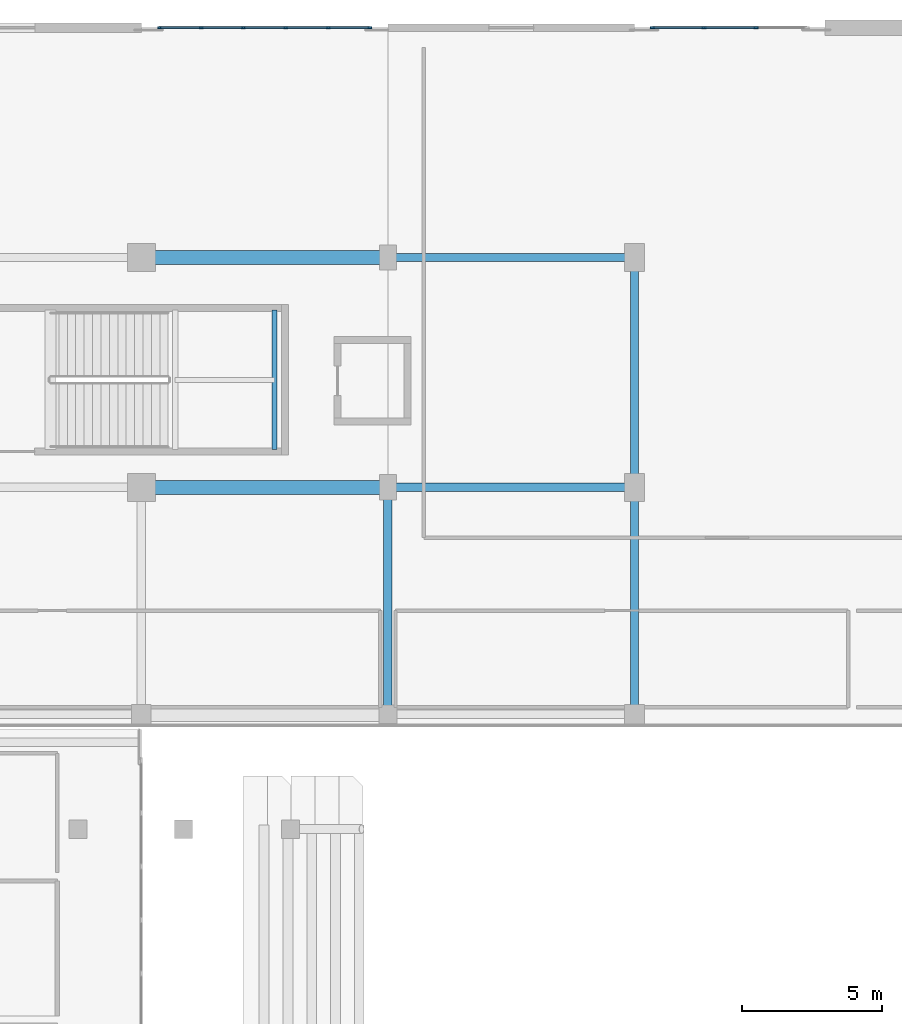
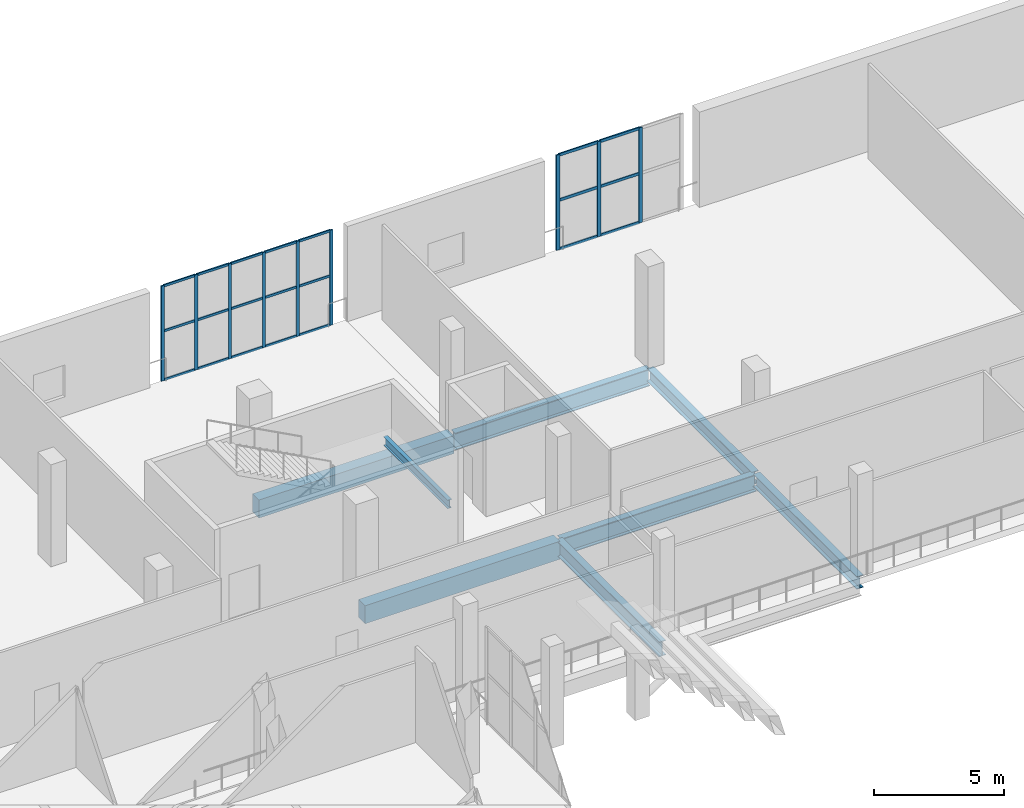
# One storey, part 64 of 142: 30 members, 8 beams, 2 elements without a shape of their own.
"""IFC4 building model written with IfcOpenShell, lengths in metres."""

from ifc_helpers import new_model, si_unit, direction, frame, origin, origin_2d, place, context, subcontext, project, spatial, rectangle, i_section, extrude, material, material_profile, profile_set, type_object, element, aggregate, save


model = new_model("IFC4")

# Units and contexts
model_context = context("Model", 3, precision=1e-05, world=origin(), true_north=direction((0.0, 1.0)))
body_context = subcontext(model_context, "Body", "Model", "MODEL_VIEW")
ifc_project = project(units=[si_unit("LENGTHUNIT", "METRE"), si_unit("AREAUNIT", "SQUARE_METRE"), si_unit("VOLUMEUNIT", "CUBIC_METRE"), si_unit("PLANEANGLEUNIT", "RADIAN"), si_unit("MASSUNIT", "GRAM", prefix="KILO")], contexts=[model_context])

# Site, building, storey
site_placement = place(None, origin())
site = spatial("IfcSite", under=ifc_project, at=site_placement, CompositionType="ELEMENT")
building_placement = place(site_placement, origin())
building = spatial("IfcBuilding", under=site, at=building_placement, Name="Koshinbarg Plaza Stadium", CompositionType="ELEMENT")
storey_placement = place(building_placement, frame((0.0, 0.0, 10.199951171875)))
storey = spatial("IfcBuildingStorey", under=building, at=storey_placement, Name="L02", CompositionType="ELEMENT", Elevation=10.199951171875)

# Beams
ifc_material_1 = material(Name="Concrete C40/50", Category="concrete")
ifc_material_profile_1 = material_profile(ifc_material_1, rectangle(XDim=0.5, YDim=0.85009765625, at=origin_2d()), Name="RC 500x850")
ifc_profile_set_1 = profile_set([ifc_material_profile_1], Name="Concrete C40/50")
beam_type_1 = type_object("IfcBeamType", Name="BM-RCG-05", PredefinedType="USERDEFINED", material=ifc_profile_set_1)
for number, where, z_axis, x_axis, name in (
    (1, (63.659912109375, 135.60009765625, -0.724853515625), (1.0, 0.0, 0.0), (0.0, 1.0, 0.0), "L02 X girder T/9-10"),
    (2, (63.659912109375, 143.800048828125, -0.724853515625), (1.0, 0.0, 0.0), (0.0, 1.0, 0.0), "L02 X girder U/9-10"),
):
    element("IfcBeam", number, at=place(storey_placement, frame(where, z_axis=z_axis, x_axis=x_axis)), inside=storey, type_object=beam_type_1, Name=name, ObjectType="GIRDER", PredefinedType="USERDEFINED", context=body_context, shape_type="SweptSolid", body=[
        extrude(rectangle(XDim=0.5, YDim=0.85009765625, at=origin_2d()), origin(), (0.0, 0.0, 1.0), 8.68017578125),
    ])
ifc_material_2 = material(Name="Steel S355", Category="steel")
ifc_material_profile_2 = material_profile(ifc_material_2, i_section(OverallWidth=0.179931640625, OverallDepth=0.39990234375, WebThickness=0.008544921875, FlangeThickness=0.013427734375, at=origin_2d()), Name="IPE 400")
ifc_profile_set_2 = profile_set([ifc_material_profile_2], Name="Steel S355")
beam_type_2 = type_object("IfcBeamType", Name="BM-SBM-01", PredefinedType="BEAM", material=ifc_profile_set_2)
beam_1_placement = place(storey_placement, frame((68.35009765625, 136.949951171875, 1.880126953125), z_axis=(0.0, 1.0, 0.0), x_axis=(-1.0, 0.0, 0.0)))
element("IfcBeam", 3, at=beam_1_placement, inside=storey, type_object=beam_type_2, Name="L02 Protected Exit Stair C11 landing trimmer beam 2", PredefinedType="BEAM", context=body_context, shape_type="SweptSolid", body=[
    extrude(i_section(OverallWidth=0.179931640625, OverallDepth=0.39990234375, WebThickness=0.008544921875, FlangeThickness=0.013427734375, at=origin_2d()), origin(), (0.0, 0.0, 1.0), 4.969970703125),
])
ifc_material_profile_3 = material_profile(ifc_material_2, i_section(OverallWidth=0.300048828125, OverallDepth=0.60009765625, WebThickness=0.015380859375, FlangeThickness=0.030029296875, at=origin_2d()), Name="HEB 600")
ifc_profile_set_3 = profile_set([ifc_material_profile_3], Name="Steel S355")
beam_type_3 = type_object("IfcBeamType", Name="BM-SGIR-02", PredefinedType="USERDEFINED", material=ifc_profile_set_3)
beam_2_placement = place(storey_placement, frame((81.199951171875, 127.56005859375, -0.599853515625), z_axis=(0.0, 1.0, 0.0), x_axis=(-1.0, 0.0, 0.0)))
element("IfcBeam", 4, at=beam_2_placement, inside=storey, type_object=beam_type_3, Name="L02 Y girder 11/S-T", ObjectType="GIRDER", PredefinedType="USERDEFINED", context=body_context, shape_type="SweptSolid", body=[
    extrude(i_section(OverallWidth=0.300048828125, OverallDepth=0.60009765625, WebThickness=0.015380859375, FlangeThickness=0.030029296875, at=origin_2d()), origin(), (0.0, 0.0, 1.0), 7.97998046875),
])
beam_3_placement = place(storey_placement, frame((81.199951171875, 135.659912109375, -0.599853515625), z_axis=(0.0, 1.0, 0.0), x_axis=(-1.0, 0.0, 0.0)))
element("IfcBeam", 5, at=beam_3_placement, inside=storey, type_object=beam_type_3, Name="L02 Y girder 11/T-U", ObjectType="GIRDER", PredefinedType="USERDEFINED", context=body_context, shape_type="SweptSolid", body=[
    extrude(i_section(OverallWidth=0.300048828125, OverallDepth=0.60009765625, WebThickness=0.015380859375, FlangeThickness=0.030029296875, at=origin_2d()), origin(), (0.0, 0.0, 1.0), 8.080078125),
])
ifc_material_profile_4 = material_profile(ifc_material_2, i_section(OverallWidth=0.300048828125, OverallDepth=0.699951171875, WebThickness=0.01708984375, FlangeThickness=0.031982421875, at=origin_2d()), Name="HEB 700")
ifc_profile_set_4 = profile_set([ifc_material_profile_4], Name="Steel S355")
beam_type_4 = type_object("IfcBeamType", Name="BM-SGIR-03", PredefinedType="USERDEFINED", material=ifc_profile_set_4)
beam_4_placement = place(storey_placement, frame((72.39990234375, 127.56005859375, -0.64990234375), z_axis=(0.0, 1.0, 0.0), x_axis=(-1.0, 0.0, 0.0)))
element("IfcBeam", 6, at=beam_4_placement, inside=storey, type_object=beam_type_4, Name="L02 Y girder 10/S-T", ObjectType="GIRDER", PredefinedType="USERDEFINED", context=body_context, shape_type="SweptSolid", body=[
    extrude(i_section(OverallWidth=0.300048828125, OverallDepth=0.699951171875, WebThickness=0.01708984375, FlangeThickness=0.031982421875, at=origin_2d()), origin(), (0.0, 0.0, 1.0), 7.97998046875),
])
ifc_material_profile_5 = material_profile(ifc_material_2, i_section(OverallWidth=0.300048828125, OverallDepth=0.800048828125, WebThickness=0.017578125, FlangeThickness=0.032958984375, at=origin_2d()), Name="HEB 800")
ifc_profile_set_5 = profile_set([ifc_material_profile_5], Name="Steel S355")
beam_type_5 = type_object("IfcBeamType", Name="BM-SGIR-04", PredefinedType="USERDEFINED", material=ifc_profile_set_5)
for number, where, z_axis, x_axis, name in (
    (7, (72.4599609375, 135.60009765625, -0.699951171875), (1.0, 0.0, 0.0), (0.0, 1.0, 0.0), "L02 X girder T/10-11"),
    (8, (72.4599609375, 143.800048828125, -0.699951171875), (1.0, 0.0, 0.0), (0.0, 1.0, 0.0), "L02 X girder U/10-11"),
):
    element("IfcBeam", number, at=place(storey_placement, frame(where, z_axis=z_axis, x_axis=x_axis)), inside=storey, type_object=beam_type_5, Name=name, ObjectType="GIRDER", PredefinedType="USERDEFINED", context=body_context, shape_type="SweptSolid", body=[
        extrude(i_section(OverallWidth=0.300048828125, OverallDepth=0.800048828125, WebThickness=0.017578125, FlangeThickness=0.032958984375, at=origin_2d()), origin(), (0.0, 0.0, 1.0), 8.679931640625),
    ])

# Curtain wall, members
ifc_material_3 = material(Name="Thermally broken anodised aluminium and low-E double glazing", Category="aluminium")
curtain_wall_type_1 = type_object("IfcCurtainWallType", Name="CW-SYS-01", PredefinedType="NOTDEFINED", material=ifc_material_3)
curtain_wall_1_placement = place(storey_placement, origin())
curtain_wall_1 = element("IfcCurtainWall", 9, at=curtain_wall_1_placement, inside=storey, type_object=curtain_wall_type_1, Name="L02 unitised curtain wall CW-L02-048", PredefinedType="NOTDEFINED")
ifc_material_4 = material(Name="Anodised aluminium mullion", Category="aluminium")
ifc_material_profile_6 = material_profile(ifc_material_4, rectangle(XDim=0.06005859375, YDim=0.139892578125, at=origin_2d()), Name="ALU 60x140")
ifc_profile_set_6 = profile_set([ifc_material_profile_6], Name="Anodised aluminium mullion")
member_type_1 = type_object("IfcMemberType", Name="CW-MUL-01", PredefinedType="MULLION", material=ifc_profile_set_6)
member_1_placement = place(storey_placement, frame((64.25, 152.0, 0.0), z_axis=(0.0, 0.0, 1.0), x_axis=(0.0, 1.0, 0.0)))
member_1 = element("IfcMember", 10, at=member_1_placement, type_object=member_type_1, Name="CW01 mullion 1", PredefinedType="MULLION", context=body_context, shape_type="SweptSolid", body=[
    extrude(rectangle(XDim=0.06005859375, YDim=0.139892578125, at=origin_2d()), origin(), (0.0, 0.0, 1.0), 4.47998046875),
])
member_2_placement = place(storey_placement, frame((65.73193359375, 152.0, 0.0), z_axis=(0.0, 0.0, 1.0), x_axis=(0.0, 1.0, 0.0)))
member_2 = element("IfcMember", 11, at=member_2_placement, type_object=member_type_1, Name="CW01 mullion 2", PredefinedType="MULLION", context=body_context, shape_type="SweptSolid", body=[
    extrude(rectangle(XDim=0.06005859375, YDim=0.139892578125, at=origin_2d()), origin(), (0.0, 0.0, 1.0), 4.47998046875),
])
member_3_placement = place(storey_placement, frame((67.243896484375, 152.0, 0.0), z_axis=(0.0, 0.0, 1.0), x_axis=(0.0, 1.0, 0.0)))
member_3 = element("IfcMember", 12, at=member_3_placement, type_object=member_type_1, Name="CW01 mullion 3", PredefinedType="MULLION", context=body_context, shape_type="SweptSolid", body=[
    extrude(rectangle(XDim=0.06005859375, YDim=0.139892578125, at=origin_2d()), origin(), (0.0, 0.0, 1.0), 4.47998046875),
])
member_4_placement = place(storey_placement, frame((68.756103515625, 152.0, 0.0), z_axis=(0.0, 0.0, 1.0), x_axis=(0.0, 1.0, 0.0)))
member_4 = element("IfcMember", 13, at=member_4_placement, type_object=member_type_1, Name="CW01 mullion 4", PredefinedType="MULLION", context=body_context, shape_type="SweptSolid", body=[
    extrude(rectangle(XDim=0.06005859375, YDim=0.139892578125, at=origin_2d()), origin(), (0.0, 0.0, 1.0), 4.47998046875),
])
member_5_placement = place(storey_placement, frame((70.26806640625, 152.0, 0.0), z_axis=(0.0, 0.0, 1.0), x_axis=(0.0, 1.0, 0.0)))
member_5 = element("IfcMember", 14, at=member_5_placement, type_object=member_type_1, Name="CW01 mullion 5", PredefinedType="MULLION", context=body_context, shape_type="SweptSolid", body=[
    extrude(rectangle(XDim=0.06005859375, YDim=0.139892578125, at=origin_2d()), origin(), (0.0, 0.0, 1.0), 4.47998046875),
])
member_6_placement = place(storey_placement, frame((71.75, 152.0, 0.0), z_axis=(0.0, 0.0, 1.0), x_axis=(0.0, 1.0, 0.0)))
member_6 = element("IfcMember", 15, at=member_6_placement, type_object=member_type_1, Name="CW01 mullion 6", PredefinedType="MULLION", context=body_context, shape_type="SweptSolid", body=[
    extrude(rectangle(XDim=0.06005859375, YDim=0.139892578125, at=origin_2d()), origin(), (0.0, 0.0, 1.0), 4.47998046875),
])

curtain_wall_type_2 = type_object("IfcCurtainWallType", Name="CW-SYS-02", PredefinedType="NOTDEFINED", material=ifc_material_3)
curtain_wall_2_placement = place(storey_placement, origin())
curtain_wall_2 = element("IfcCurtainWall", 16, at=curtain_wall_2_placement, inside=storey, type_object=curtain_wall_type_2, Name="L02 unitised curtain wall CW-L02-049", PredefinedType="NOTDEFINED")
ifc_material_profile_7 = material_profile(ifc_material_4, rectangle(XDim=0.06005859375, YDim=0.159912109375, at=origin_2d()), Name="ALU 60x160")
ifc_profile_set_7 = profile_set([ifc_material_profile_7], Name="Anodised aluminium mullion")
member_type_2 = type_object("IfcMemberType", Name="CW-MUL-02", PredefinedType="MULLION", material=ifc_profile_set_7)
member_7_placement = place(storey_placement, frame((81.85009765625, 152.0, 0.0), z_axis=(0.0, 0.0, 1.0), x_axis=(0.0, 1.0, 0.0)))
member_7 = element("IfcMember", 17, at=member_7_placement, type_object=member_type_2, Name="CW02 mullion 1", PredefinedType="MULLION", context=body_context, shape_type="SweptSolid", body=[
    extrude(rectangle(XDim=0.06005859375, YDim=0.159912109375, at=origin_2d()), origin(), (0.0, 0.0, 1.0), 4.47998046875),
])
member_8_placement = place(storey_placement, frame((83.67333984375, 152.0, 0.0), z_axis=(0.0, 0.0, 1.0), x_axis=(0.0, 1.0, 0.0)))
member_8 = element("IfcMember", 18, at=member_8_placement, type_object=member_type_2, Name="CW02 mullion 2", PredefinedType="MULLION", context=body_context, shape_type="SweptSolid", body=[
    extrude(rectangle(XDim=0.06005859375, YDim=0.159912109375, at=origin_2d()), origin(), (0.0, 0.0, 1.0), 4.47998046875),
])
member_9_placement = place(storey_placement, frame((85.526611328125, 152.0, 0.0), z_axis=(0.0, 0.0, 1.0), x_axis=(0.0, 1.0, 0.0)))
member_9 = element("IfcMember", 19, at=member_9_placement, type_object=member_type_2, Name="CW02 mullion 3", PredefinedType="MULLION", context=body_context, shape_type="SweptSolid", body=[
    extrude(rectangle(XDim=0.06005859375, YDim=0.159912109375, at=origin_2d()), origin(), (0.0, 0.0, 1.0), 4.47998046875),
])

# Member
ifc_material_5 = material(Name="Anodised aluminium transom", Category="aluminium")
ifc_material_profile_8 = material_profile(ifc_material_5, rectangle(XDim=0.06005859375, YDim=0.110107421875, at=origin_2d()), Name="ALU 60x110")
ifc_profile_set_8 = profile_set([ifc_material_profile_8], Name="Anodised aluminium transom")
member_type_3 = type_object("IfcMemberType", Name="CW-TRN-01", PredefinedType="USERDEFINED", material=ifc_profile_set_8)
member_10_placement = place(storey_placement, frame((64.280029296875, 152.0, 0.030029296875), z_axis=(1.0, 0.0, 0.0), x_axis=(0.0, 1.0, 0.0)))
member_10 = element("IfcMember", 20, at=member_10_placement, type_object=member_type_3, Name="CW01 transom 1.1", ObjectType="TRANSOM", PredefinedType="USERDEFINED", context=body_context, shape_type="SweptSolid", body=[
    extrude(rectangle(XDim=0.06005859375, YDim=0.110107421875, at=origin_2d()), origin(), (0.0, 0.0, 1.0), 1.421875),
])

member_11_placement = place(storey_placement, frame((64.280029296875, 152.0, 2.32958984375), z_axis=(1.0, 0.0, 0.0), x_axis=(0.0, 1.0, 0.0)))
member_11 = element("IfcMember", 21, at=member_11_placement, type_object=member_type_3, Name="CW01 transom 1.2", ObjectType="TRANSOM", PredefinedType="USERDEFINED", context=body_context, shape_type="SweptSolid", body=[
    extrude(rectangle(XDim=0.06005859375, YDim=0.110107421875, at=origin_2d()), origin(), (0.0, 0.0, 1.0), 1.421875),
])

member_12_placement = place(storey_placement, frame((64.280029296875, 152.0, 4.449951171875), z_axis=(1.0, 0.0, 0.0), x_axis=(0.0, 1.0, 0.0)))
member_12 = element("IfcMember", 22, at=member_12_placement, type_object=member_type_3, Name="CW01 transom 1.3", ObjectType="TRANSOM", PredefinedType="USERDEFINED", context=body_context, shape_type="SweptSolid", body=[
    extrude(rectangle(XDim=0.06005859375, YDim=0.110107421875, at=origin_2d()), origin(), (0.0, 0.0, 1.0), 1.421875),
])

member_13_placement = place(storey_placement, frame((65.761962890625, 152.0, 0.030029296875), z_axis=(1.0, 0.0, 0.0), x_axis=(0.0, 1.0, 0.0)))
member_13 = element("IfcMember", 23, at=member_13_placement, type_object=member_type_3, Name="CW01 transom 2.1", ObjectType="TRANSOM", PredefinedType="USERDEFINED", context=body_context, shape_type="SweptSolid", body=[
    extrude(rectangle(XDim=0.06005859375, YDim=0.110107421875, at=origin_2d()), origin(), (0.0, 0.0, 1.0), 1.4521484375),
])

member_14_placement = place(storey_placement, frame((65.761962890625, 152.0, 2.32958984375), z_axis=(1.0, 0.0, 0.0), x_axis=(0.0, 1.0, 0.0)))
member_14 = element("IfcMember", 24, at=member_14_placement, type_object=member_type_3, Name="CW01 transom 2.2", ObjectType="TRANSOM", PredefinedType="USERDEFINED", context=body_context, shape_type="SweptSolid", body=[
    extrude(rectangle(XDim=0.06005859375, YDim=0.110107421875, at=origin_2d()), origin(), (0.0, 0.0, 1.0), 1.4521484375),
])

member_15_placement = place(storey_placement, frame((65.761962890625, 152.0, 4.449951171875), z_axis=(1.0, 0.0, 0.0), x_axis=(0.0, 1.0, 0.0)))
member_15 = element("IfcMember", 25, at=member_15_placement, type_object=member_type_3, Name="CW01 transom 2.3", ObjectType="TRANSOM", PredefinedType="USERDEFINED", context=body_context, shape_type="SweptSolid", body=[
    extrude(rectangle(XDim=0.06005859375, YDim=0.110107421875, at=origin_2d()), origin(), (0.0, 0.0, 1.0), 1.4521484375),
])

member_16_placement = place(storey_placement, frame((67.27392578125, 152.0, 0.030029296875), z_axis=(1.0, 0.0, 0.0), x_axis=(0.0, 1.0, 0.0)))
member_16 = element("IfcMember", 26, at=member_16_placement, type_object=member_type_3, Name="CW01 transom 3.1", ObjectType="TRANSOM", PredefinedType="USERDEFINED", context=body_context, shape_type="SweptSolid", body=[
    extrude(rectangle(XDim=0.06005859375, YDim=0.110107421875, at=origin_2d()), origin(), (0.0, 0.0, 1.0), 1.4521484375),
])

member_17_placement = place(storey_placement, frame((67.27392578125, 152.0, 2.32958984375), z_axis=(1.0, 0.0, 0.0), x_axis=(0.0, 1.0, 0.0)))
member_17 = element("IfcMember", 27, at=member_17_placement, type_object=member_type_3, Name="CW01 transom 3.2", ObjectType="TRANSOM", PredefinedType="USERDEFINED", context=body_context, shape_type="SweptSolid", body=[
    extrude(rectangle(XDim=0.06005859375, YDim=0.110107421875, at=origin_2d()), origin(), (0.0, 0.0, 1.0), 1.4521484375),
])

member_18_placement = place(storey_placement, frame((67.27392578125, 152.0, 4.449951171875), z_axis=(1.0, 0.0, 0.0), x_axis=(0.0, 1.0, 0.0)))
member_18 = element("IfcMember", 28, at=member_18_placement, type_object=member_type_3, Name="CW01 transom 3.3", ObjectType="TRANSOM", PredefinedType="USERDEFINED", context=body_context, shape_type="SweptSolid", body=[
    extrude(rectangle(XDim=0.06005859375, YDim=0.110107421875, at=origin_2d()), origin(), (0.0, 0.0, 1.0), 1.4521484375),
])

member_19_placement = place(storey_placement, frame((68.785888671875, 152.0, 0.030029296875), z_axis=(1.0, 0.0, 0.0), x_axis=(0.0, 1.0, 0.0)))
member_19 = element("IfcMember", 29, at=member_19_placement, type_object=member_type_3, Name="CW01 transom 4.1", ObjectType="TRANSOM", PredefinedType="USERDEFINED", context=body_context, shape_type="SweptSolid", body=[
    extrude(rectangle(XDim=0.06005859375, YDim=0.110107421875, at=origin_2d()), origin(), (0.0, 0.0, 1.0), 1.4521484375),
])

member_20_placement = place(storey_placement, frame((68.785888671875, 152.0, 2.32958984375), z_axis=(1.0, 0.0, 0.0), x_axis=(0.0, 1.0, 0.0)))
member_20 = element("IfcMember", 30, at=member_20_placement, type_object=member_type_3, Name="CW01 transom 4.2", ObjectType="TRANSOM", PredefinedType="USERDEFINED", context=body_context, shape_type="SweptSolid", body=[
    extrude(rectangle(XDim=0.06005859375, YDim=0.110107421875, at=origin_2d()), origin(), (0.0, 0.0, 1.0), 1.4521484375),
])

member_21_placement = place(storey_placement, frame((68.785888671875, 152.0, 4.449951171875), z_axis=(1.0, 0.0, 0.0), x_axis=(0.0, 1.0, 0.0)))
member_21 = element("IfcMember", 31, at=member_21_placement, type_object=member_type_3, Name="CW01 transom 4.3", ObjectType="TRANSOM", PredefinedType="USERDEFINED", context=body_context, shape_type="SweptSolid", body=[
    extrude(rectangle(XDim=0.06005859375, YDim=0.110107421875, at=origin_2d()), origin(), (0.0, 0.0, 1.0), 1.4521484375),
])

member_22_placement = place(storey_placement, frame((70.298095703125, 152.0, 0.030029296875), z_axis=(1.0, 0.0, 0.0), x_axis=(0.0, 1.0, 0.0)))
member_22 = element("IfcMember", 32, at=member_22_placement, type_object=member_type_3, Name="CW01 transom 5.1", ObjectType="TRANSOM", PredefinedType="USERDEFINED", context=body_context, shape_type="SweptSolid", body=[
    extrude(rectangle(XDim=0.06005859375, YDim=0.110107421875, at=origin_2d()), origin(), (0.0, 0.0, 1.0), 1.421875),
])

member_23_placement = place(storey_placement, frame((70.298095703125, 152.0, 2.32958984375), z_axis=(1.0, 0.0, 0.0), x_axis=(0.0, 1.0, 0.0)))
member_23 = element("IfcMember", 33, at=member_23_placement, type_object=member_type_3, Name="CW01 transom 5.2", ObjectType="TRANSOM", PredefinedType="USERDEFINED", context=body_context, shape_type="SweptSolid", body=[
    extrude(rectangle(XDim=0.06005859375, YDim=0.110107421875, at=origin_2d()), origin(), (0.0, 0.0, 1.0), 1.421875),
])

member_24_placement = place(storey_placement, frame((70.298095703125, 152.0, 4.449951171875), z_axis=(1.0, 0.0, 0.0), x_axis=(0.0, 1.0, 0.0)))
member_24 = element("IfcMember", 34, at=member_24_placement, type_object=member_type_3, Name="CW01 transom 5.3", ObjectType="TRANSOM", PredefinedType="USERDEFINED", context=body_context, shape_type="SweptSolid", body=[
    extrude(rectangle(XDim=0.06005859375, YDim=0.110107421875, at=origin_2d()), origin(), (0.0, 0.0, 1.0), 1.421875),
])

aggregate(curtain_wall_1, [member_1, member_2, member_3, member_4, member_5, member_6, member_10, member_11, member_12, member_13, member_14, member_15, member_16, member_17, member_18, member_19, member_20, member_21, member_22, member_23, member_24])

ifc_material_profile_9 = material_profile(ifc_material_5, rectangle(XDim=0.06005859375, YDim=0.1298828125, at=origin_2d()), Name="ALU 60x130")
ifc_profile_set_9 = profile_set([ifc_material_profile_9], Name="Anodised aluminium transom")
member_type_4 = type_object("IfcMemberType", Name="CW-TRN-02", PredefinedType="USERDEFINED", material=ifc_profile_set_9)
member_25_placement = place(storey_placement, frame((81.8798828125, 152.0, 0.030029296875), z_axis=(1.0, 0.0, 0.0), x_axis=(0.0, 1.0, 0.0)))
member_25 = element("IfcMember", 35, at=member_25_placement, type_object=member_type_4, Name="CW02 transom 1.1", ObjectType="TRANSOM", PredefinedType="USERDEFINED", context=body_context, shape_type="SweptSolid", body=[
    extrude(rectangle(XDim=0.06005859375, YDim=0.1298828125, at=origin_2d()), origin(), (0.0, 0.0, 1.0), 1.763427734375),
])

member_26_placement = place(storey_placement, frame((81.8798828125, 152.0, 2.32958984375), z_axis=(1.0, 0.0, 0.0), x_axis=(0.0, 1.0, 0.0)))
member_26 = element("IfcMember", 36, at=member_26_placement, type_object=member_type_4, Name="CW02 transom 1.2", ObjectType="TRANSOM", PredefinedType="USERDEFINED", context=body_context, shape_type="SweptSolid", body=[
    extrude(rectangle(XDim=0.06005859375, YDim=0.1298828125, at=origin_2d()), origin(), (0.0, 0.0, 1.0), 1.763427734375),
])

member_27_placement = place(storey_placement, frame((81.8798828125, 152.0, 4.449951171875), z_axis=(1.0, 0.0, 0.0), x_axis=(0.0, 1.0, 0.0)))
member_27 = element("IfcMember", 37, at=member_27_placement, type_object=member_type_4, Name="CW02 transom 1.3", ObjectType="TRANSOM", PredefinedType="USERDEFINED", context=body_context, shape_type="SweptSolid", body=[
    extrude(rectangle(XDim=0.06005859375, YDim=0.1298828125, at=origin_2d()), origin(), (0.0, 0.0, 1.0), 1.763427734375),
])

member_28_placement = place(storey_placement, frame((83.703369140625, 152.0, 0.030029296875), z_axis=(1.0, 0.0, 0.0), x_axis=(0.0, 1.0, 0.0)))
member_28 = element("IfcMember", 38, at=member_28_placement, type_object=member_type_4, Name="CW02 transom 2.1", ObjectType="TRANSOM", PredefinedType="USERDEFINED", context=body_context, shape_type="SweptSolid", body=[
    extrude(rectangle(XDim=0.06005859375, YDim=0.1298828125, at=origin_2d()), origin(), (0.0, 0.0, 1.0), 1.793212890625),
])

member_29_placement = place(storey_placement, frame((83.703369140625, 152.0, 2.32958984375), z_axis=(1.0, 0.0, 0.0), x_axis=(0.0, 1.0, 0.0)))
member_29 = element("IfcMember", 39, at=member_29_placement, type_object=member_type_4, Name="CW02 transom 2.2", ObjectType="TRANSOM", PredefinedType="USERDEFINED", context=body_context, shape_type="SweptSolid", body=[
    extrude(rectangle(XDim=0.06005859375, YDim=0.1298828125, at=origin_2d()), origin(), (0.0, 0.0, 1.0), 1.793212890625),
])

member_30_placement = place(storey_placement, frame((83.703369140625, 152.0, 4.449951171875), z_axis=(1.0, 0.0, 0.0), x_axis=(0.0, 1.0, 0.0)))
member_30 = element("IfcMember", 40, at=member_30_placement, type_object=member_type_4, Name="CW02 transom 2.3", ObjectType="TRANSOM", PredefinedType="USERDEFINED", context=body_context, shape_type="SweptSolid", body=[
    extrude(rectangle(XDim=0.06005859375, YDim=0.1298828125, at=origin_2d()), origin(), (0.0, 0.0, 1.0), 1.793212890625),
])

aggregate(curtain_wall_2, [member_7, member_8, member_9, member_25, member_26, member_27, member_28, member_29, member_30])

save(model, "model.ifc")
